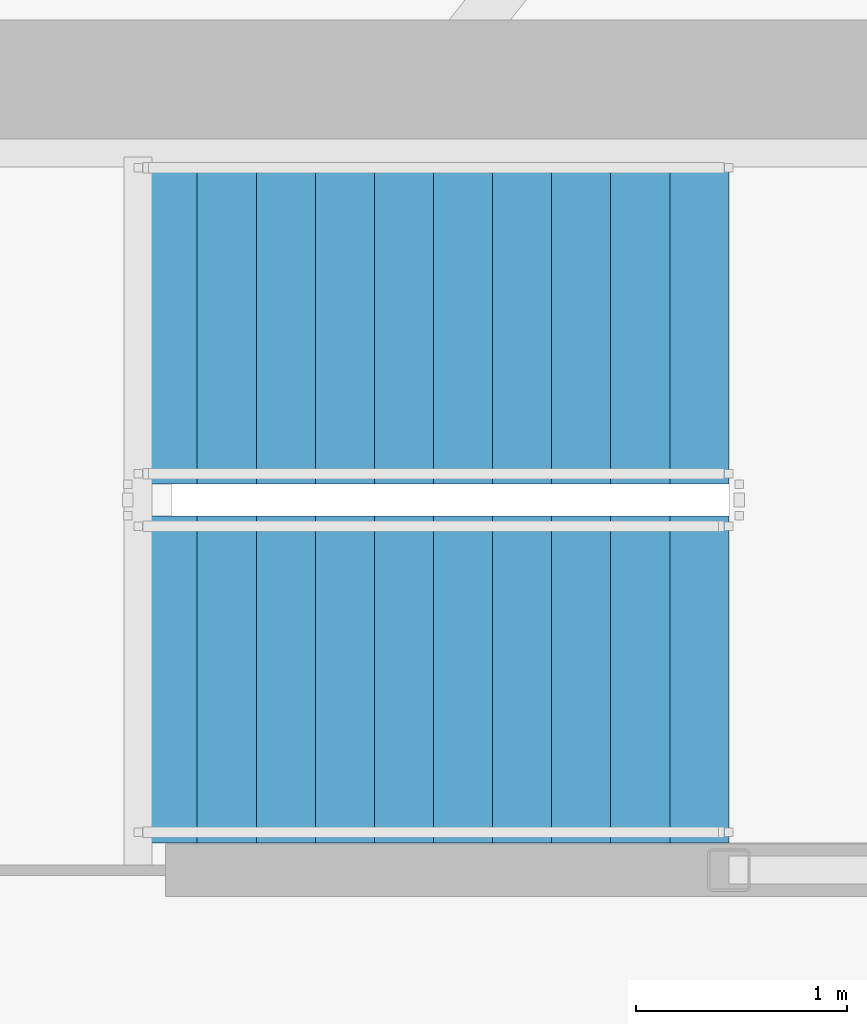
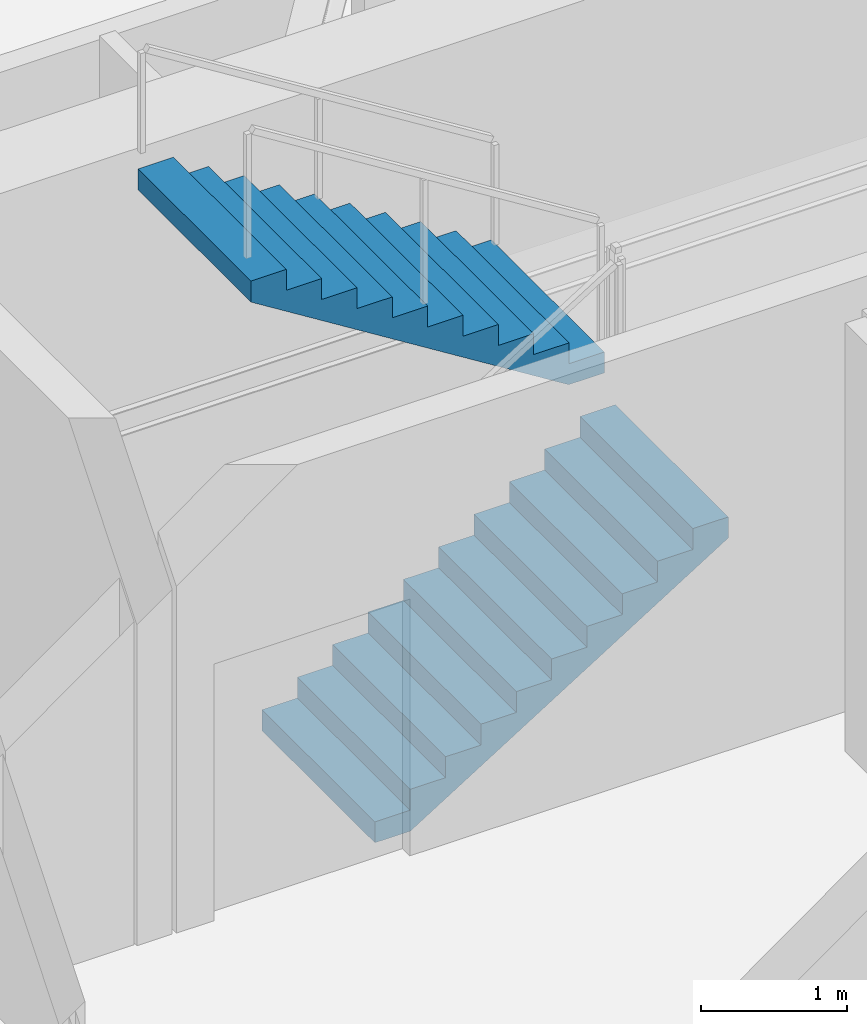
# One storey, part 24 of 31: 2 stair flights, 1 element without a shape of its own.
"""IFC4 building model written with IfcOpenShell, lengths in metres."""

from ifc_helpers import new_model, si_unit, direction, frame, origin, place, context, subcontext, project, spatial, polyline, outline, extrude, material, type_object, element, aggregate, save


model = new_model("IFC4")

# Units and contexts
model_context = context("Model", 3, precision=1e-05, world=origin(), true_north=direction((0.0, 1.0)))
body_context = subcontext(model_context, "Body", "Model", "MODEL_VIEW")
ifc_project = project(units=[si_unit("LENGTHUNIT", "METRE"), si_unit("AREAUNIT", "SQUARE_METRE"), si_unit("VOLUMEUNIT", "CUBIC_METRE"), si_unit("PLANEANGLEUNIT", "RADIAN"), si_unit("MASSUNIT", "GRAM", prefix="KILO")], contexts=[model_context])

# Site, building, storey
site_placement = place(None, origin())
site = spatial("IfcSite", under=ifc_project, at=site_placement, CompositionType="ELEMENT")
building_placement = place(site_placement, origin())
building = spatial("IfcBuilding", under=site, at=building_placement, Name="Kazma Halo Residences", CompositionType="ELEMENT")
storey_placement = place(building_placement, frame((0.0, 0.0, 259.800048828125)))
storey = spatial("IfcBuildingStorey", under=building, at=storey_placement, Name="L65", CompositionType="ELEMENT", Elevation=259.800048828125)

# Stair, stair flights
ifc_material = material(Name="Concrete C50/60", Category="concrete")
stair_type = type_object("IfcStairType", Name="STR-RES2", PredefinedType="HALF_TURN_STAIR", material=ifc_material)
stair_placement = place(storey_placement, origin())
stair = element("IfcStair", 1, at=stair_placement, inside=storey, type_object=stair_type, Name="L65 Core exit stair ST-02", PredefinedType="HALF_TURN_STAIR")
stair_flight_type = type_object("IfcStairFlightType", Name="STR-RES2-FLT", PredefinedType="STRAIGHT", material=ifc_material)
stair_flight_1_placement = place(storey_placement, frame((53.199951171875, 47.52490234375, 0.0), z_axis=(0.0, 0.0, 1.0), x_axis=(1.0, 0.0, 0.0)))
stair_flight_1 = element("IfcStairFlight", 2, at=stair_flight_1_placement, type_object=stair_flight_type, Name="ST-02 flight 1", NumberOfRisers=11, NumberOfTreads=10, PredefinedType="STRAIGHT", RiserHeight=0.175, TreadLength=0.28, context=body_context, shape_type="SweptSolid", body=[
    extrude(outline(polyline([(0.0, 0.0), (0.0, 0.175048828125), (0.280029296875, 0.175048828125), (0.280029296875, 0.35009765625), (0.56005859375, 0.35009765625), (0.56005859375, 0.52490234375), (0.840087890625, 0.52490234375), (0.840087890625, 0.699951171875), (1.1201171875, 0.699951171875), (1.1201171875, 0.875), (1.39990234375, 0.875), (1.39990234375, 1.050048828125), (1.679931640625, 1.050048828125), (1.679931640625, 1.22509765625), (1.9599609375, 1.22509765625), (1.9599609375, 1.39990234375), (2.239990234375, 1.39990234375), (2.239990234375, 1.574951171875), (2.52001953125, 1.574951171875), (2.52001953125, 1.75), (2.800048828125, 1.75), (2.800048828125, 1.925048828125), (2.800048828125, 1.5732421875), (0.28271484375, 0.0), (0.0, 0.0)])), frame((0.0, 0.77490234375, 0.0), z_axis=(0.0, -1.0, 0.0), x_axis=(1.0, 0.0, 0.0)), (0.0, 0.0, 1.0), 1.550048828125),
])
stair_flight_2_placement = place(storey_placement, frame((56.0, 49.22509765625, 1.925048828125), z_axis=(0.0, 0.0, 1.0), x_axis=(-1.0, 0.0, 0.0)))
stair_flight_2 = element("IfcStairFlight", 3, at=stair_flight_2_placement, type_object=stair_flight_type, Name="ST-02 flight 2", NumberOfRisers=11, NumberOfTreads=10, PredefinedType="STRAIGHT", RiserHeight=0.175, TreadLength=0.28, context=body_context, shape_type="SweptSolid", body=[
    extrude(outline(polyline([(0.0, 0.0), (0.0, 0.175048828125), (0.280029296875, 0.175048828125), (0.280029296875, 0.35009765625), (0.56005859375, 0.35009765625), (0.56005859375, 0.52490234375), (0.840087890625, 0.52490234375), (0.840087890625, 0.699951171875), (1.1201171875, 0.699951171875), (1.1201171875, 0.875), (1.39990234375, 0.875), (1.39990234375, 1.050048828125), (1.679931640625, 1.050048828125), (1.679931640625, 1.22509765625), (1.9599609375, 1.22509765625), (1.9599609375, 1.39990234375), (2.239990234375, 1.39990234375), (2.239990234375, 1.574951171875), (2.52001953125, 1.574951171875), (2.52001953125, 1.75), (2.800048828125, 1.75), (2.800048828125, 1.925048828125), (2.800048828125, 1.5732421875), (0.28271484375, 0.0), (0.0, 0.0)])), frame((0.0, 0.77490234375, 0.0), z_axis=(0.0, -1.0, 0.0), x_axis=(1.0, 0.0, 0.0)), (0.0, 0.0, 1.0), 1.550048828125),
])
aggregate(stair, [stair_flight_1, stair_flight_2])

save(model, "model.ifc")
